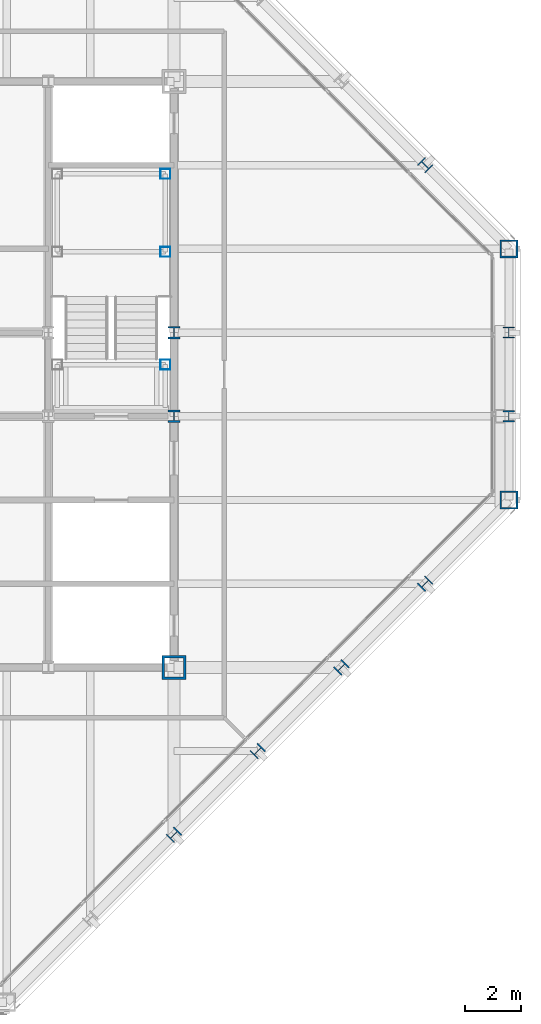
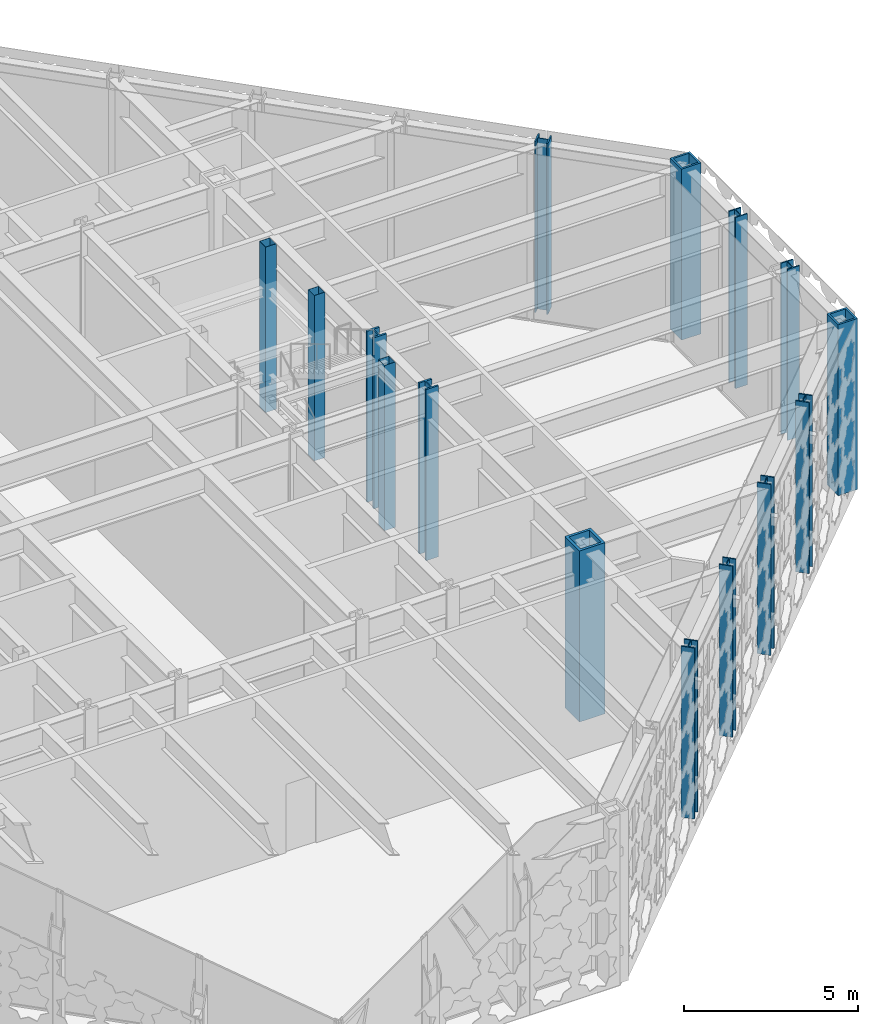
# One storey, part 3 of 28: 15 columns.
"""IFC4 building model written with IfcOpenShell, lengths in metres."""

from ifc_helpers import new_model, si_unit, direction, frame, origin, origin_2d, place, context, subcontext, project, spatial, hollow_rectangle, i_section, extrude, material, material_profile, profile_set, type_object, element, save


model = new_model("IFC4")

# Units and contexts
model_context = context("Model", 3, precision=1e-05, world=origin(), true_north=direction((0.0, 1.0)))
body_context = subcontext(model_context, "Body", "Model", "MODEL_VIEW")
ifc_project = project(units=[si_unit("LENGTHUNIT", "METRE"), si_unit("AREAUNIT", "SQUARE_METRE"), si_unit("VOLUMEUNIT", "CUBIC_METRE"), si_unit("PLANEANGLEUNIT", "RADIAN"), si_unit("MASSUNIT", "GRAM", prefix="KILO")], contexts=[model_context])

# Site, building, storey
site_placement = place(None, origin())
site = spatial("IfcSite", under=ifc_project, at=site_placement, CompositionType="ELEMENT")
building_placement = place(site_placement, origin())
building = spatial("IfcBuilding", under=site, at=building_placement, Name="Chuquiago Exchange Tower", CompositionType="ELEMENT")
storey_placement = place(building_placement, frame((0.0, 0.0, 300.0)))
storey = spatial("IfcBuildingStorey", under=building, at=storey_placement, Name="L67", CompositionType="ELEMENT", Elevation=300.0)

# Columns
ifc_material_1 = material(Name="Steel ASTM A992", Category="steel")
ifc_material_profile_1 = material_profile(ifc_material_1, i_section(OverallWidth=0.4013671875, OverallDepth=0.398681640625, WebThickness=0.02490234375, FlangeThickness=0.03955078125, at=origin_2d()), Name="W14X211")
ifc_profile_set_1 = profile_set([ifc_material_profile_1], Name="Steel ASTM A992")
column_type_1 = type_object("IfcColumnType", Name="C9 W14X211", PredefinedType="COLUMN", material=ifc_profile_set_1)
for number, where, z_axis, x_axis, name in (
    (1, (45.0, 21.0, 0.0), (0.0, 0.0, 1.0), (1.0, 0.0, 0.0), "COL-L67-45_21"),
    (2, (45.0, 24.0, 0.0), (0.0, 0.0, 1.0), (1.0, 0.0, 0.0), "COL-L67-45_24"),
):
    element("IfcColumn", number, at=place(storey_placement, frame(where, z_axis=z_axis, x_axis=x_axis)), inside=storey, type_object=column_type_1, Name=name, PredefinedType="COLUMN", context=body_context, shape_type="SweptSolid", body=[
        extrude(i_section(OverallWidth=0.4013671875, OverallDepth=0.398681640625, WebThickness=0.02490234375, FlangeThickness=0.03955078125, at=origin_2d()), origin(), (0.0, 0.0, 1.0), 6.0),
    ])
ifc_material_2 = material(Name="Steel ASTM A572 Grade 50", Category="steel")
ifc_material_profile_2 = material_profile(ifc_material_2, hollow_rectangle(XDim=0.85009765625, YDim=0.85009765625, WallThickness=0.0849609375, at=origin_2d()), Name="BOX850X850X85")
ifc_profile_set_2 = profile_set([ifc_material_profile_2], Name="Steel ASTM A572 Grade 50")
column_type_2 = type_object("IfcColumnType", Name="CC6 BOX850X850X85", PredefinedType="COLUMN", material=ifc_profile_set_2)
column_placement = place(storey_placement, frame((33.0, 12.0, 0.0), z_axis=(0.0, 0.0, 1.0), x_axis=(1.0, 0.0, 0.0)))
element("IfcColumn", 3, at=column_placement, inside=storey, type_object=column_type_2, Name="CCOL-L67-33_12", PredefinedType="COLUMN", context=body_context, shape_type="SweptSolid", body=[
    extrude(hollow_rectangle(XDim=0.85009765625, YDim=0.85009765625, WallThickness=0.0849609375, at=origin_2d()), origin(), (0.0, 0.0, 1.0), 6.0),
])
ifc_material_3 = material(Name="Steel ASTM A992", Category="steel")
ifc_material_profile_3 = material_profile(ifc_material_3, i_section(OverallWidth=0.41650390625, OverallDepth=0.444580078125, WebThickness=0.0390625, FlangeThickness=0.062744140625, at=origin_2d()), Name="W14X342")
ifc_profile_set_3 = profile_set([ifc_material_profile_3], Name="Steel ASTM A992")
column_type_3 = type_object("IfcColumnType", Name="CC9 W14X342", PredefinedType="COLUMN", material=ifc_profile_set_3)
for number, where, z_axis, x_axis, name in (
    (4, (33.0, 21.0, 0.0), (0.0, 0.0, 1.0), (1.0, 0.0, 0.0), "CCOL-L67-33_21"),
    (5, (33.0, 24.0, 0.0), (0.0, 0.0, 1.0), (1.0, 0.0, 0.0), "CCOL-L67-33_24"),
):
    element("IfcColumn", number, at=place(storey_placement, frame(where, z_axis=z_axis, x_axis=x_axis)), inside=storey, type_object=column_type_3, Name=name, PredefinedType="COLUMN", context=body_context, shape_type="SweptSolid", body=[
        extrude(i_section(OverallWidth=0.41650390625, OverallDepth=0.444580078125, WebThickness=0.0390625, FlangeThickness=0.062744140625, at=origin_2d()), origin(), (0.0, 0.0, 1.0), 6.0),
    ])
ifc_material_4 = material(Name="Steel ASTM A992", Category="steel")
ifc_material_profile_4 = material_profile(ifc_material_4, i_section(OverallWidth=0.40380859375, OverallDepth=0.406494140625, WebThickness=0.027099609375, FlangeThickness=0.043701171875, at=origin_2d()), Name="W14X233")
ifc_profile_set_4 = profile_set([ifc_material_profile_4], Name="Steel ASTM A992")
column_type_4 = type_object("IfcColumnType", Name="CK8 W14X233", PredefinedType="COLUMN", material=ifc_profile_set_4)
for number, where, z_axis, x_axis, name in (
    (6, (33.0, 6.0, 0.0), (0.0, 0.0, 1.0), (0.707106781187, -0.707106781187, 0.0), "COL-L67-33_6"),
    (7, (36.0, 9.0, 0.0), (0.0, 0.0, 1.0), (0.707106781187, -0.707106781187, 0.0), "COL-L67-36_9"),
    (8, (39.0, 12.0, 0.0), (0.0, 0.0, 1.0), (0.707106781187, -0.707106781187, 0.0), "COL-L67-39_12"),
    (9, (42.0, 15.0, 0.0), (0.0, 0.0, 1.0), (0.707106781187, -0.707106781187, 0.0), "COL-L67-42_15"),
    (10, (42.0, 30.0, 0.0), (0.0, 0.0, 1.0), (0.707106781187, 0.707106781187, 0.0), "COL-L67-42_30"),
):
    element("IfcColumn", number, at=place(storey_placement, frame(where, z_axis=z_axis, x_axis=x_axis)), inside=storey, type_object=column_type_4, Name=name, PredefinedType="COLUMN", context=body_context, shape_type="SweptSolid", body=[
        extrude(i_section(OverallWidth=0.40380859375, OverallDepth=0.406494140625, WebThickness=0.027099609375, FlangeThickness=0.043701171875, at=origin_2d()), origin(), (0.0, 0.0, 1.0), 6.0),
    ])
ifc_material_5 = material(Name="Steel ASTM A572 Grade 50", Category="steel")
ifc_material_profile_5 = material_profile(ifc_material_5, hollow_rectangle(XDim=0.64990234375, YDim=0.64990234375, WallThickness=0.06494140625, at=origin_2d()), Name="BOX650X650X65")
ifc_profile_set_5 = profile_set([ifc_material_profile_5], Name="Steel ASTM A572 Grade 50")
column_type_5 = type_object("IfcColumnType", Name="CN2 BOX650X650X65", PredefinedType="COLUMN", material=ifc_profile_set_5)
for number, where, z_axis, x_axis, name in (
    (11, (45.0, 18.0, 0.0), (0.0, 0.0, 1.0), (1.0, 0.0, 0.0), "COL-L67-45_18"),
    (12, (45.0, 27.0, 0.0), (0.0, 0.0, 1.0), (1.0, 0.0, 0.0), "COL-L67-45_27"),
):
    element("IfcColumn", number, at=place(storey_placement, frame(where, z_axis=z_axis, x_axis=x_axis)), inside=storey, type_object=column_type_5, Name=name, PredefinedType="COLUMN", context=body_context, shape_type="SweptSolid", body=[
        extrude(hollow_rectangle(XDim=0.64990234375, YDim=0.64990234375, WallThickness=0.06494140625, at=origin_2d()), origin(), (0.0, 0.0, 1.0), 6.0),
    ])
ifc_material_6 = material(Name="Steel ASTM A500 Grade C", Category="steel")
ifc_material_profile_6 = material_profile(ifc_material_6, hollow_rectangle(XDim=0.355712890625, YDim=0.355712890625, WallThickness=0.0087890625, at=origin_2d()), Name="HSS14X14X3/8")
ifc_profile_set_6 = profile_set([ifc_material_profile_6], Name="Steel ASTM A500 Grade C")
column_type_6 = type_object("IfcColumnType", Name="PT1 HSS14X14X3/8", PredefinedType="COLUMN", material=ifc_profile_set_6)
for number, where, z_axis, x_axis, name in (
    (13, (32.68994140625, 29.68994140625, 0.0), (0.0, 0.0, 1.0), (1.0, 0.0, 0.0), "Stair ST2 L67 landing post"),
    (14, (32.68994140625, 26.889892578125, 0.0), (0.0, 0.0, 1.0), (1.0, 0.0, 0.0), "Stair ST2 L67 landing post"),
    (15, (32.68994140625, 22.85009765625, 0.0), (0.0, 0.0, 1.0), (1.0, 0.0, 0.0), "Stair ST2 L67 landing post"),
):
    element("IfcColumn", number, at=place(storey_placement, frame(where, z_axis=z_axis, x_axis=x_axis)), inside=storey, type_object=column_type_6, Name=name, PredefinedType="COLUMN", context=body_context, shape_type="SweptSolid", body=[
        extrude(hollow_rectangle(XDim=0.355712890625, YDim=0.355712890625, WallThickness=0.0087890625, at=origin_2d()), origin(), (0.0, 0.0, 1.0), 5.800048828125),
    ])

save(model, "model.ifc")
